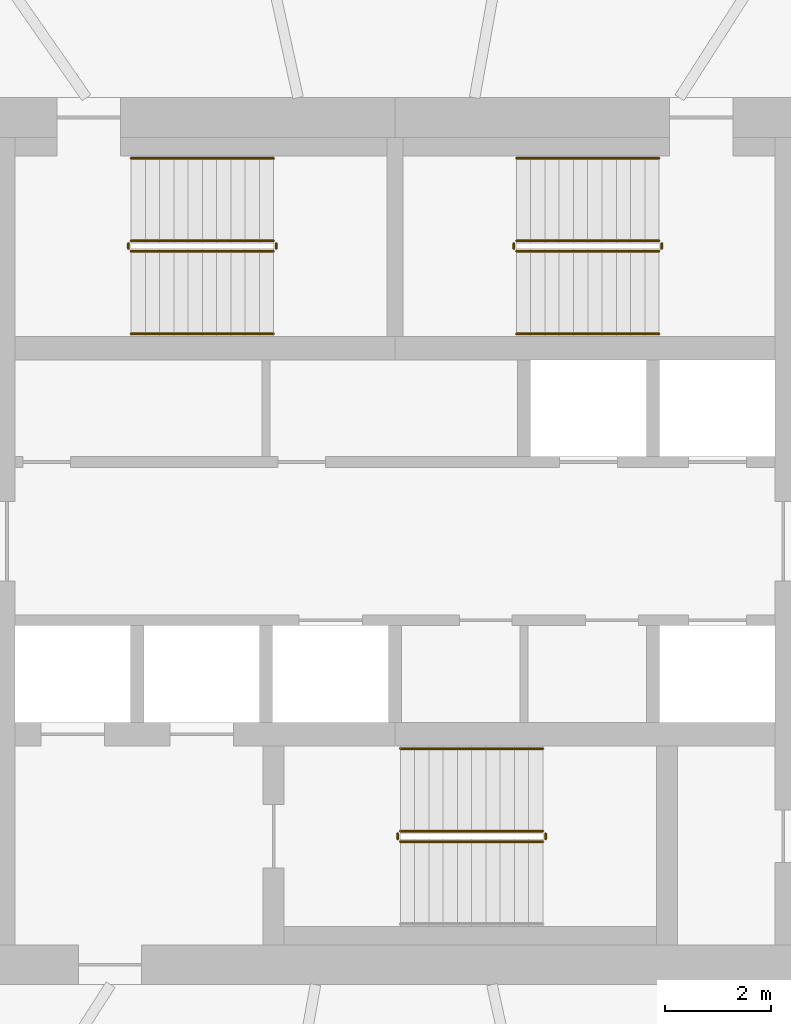
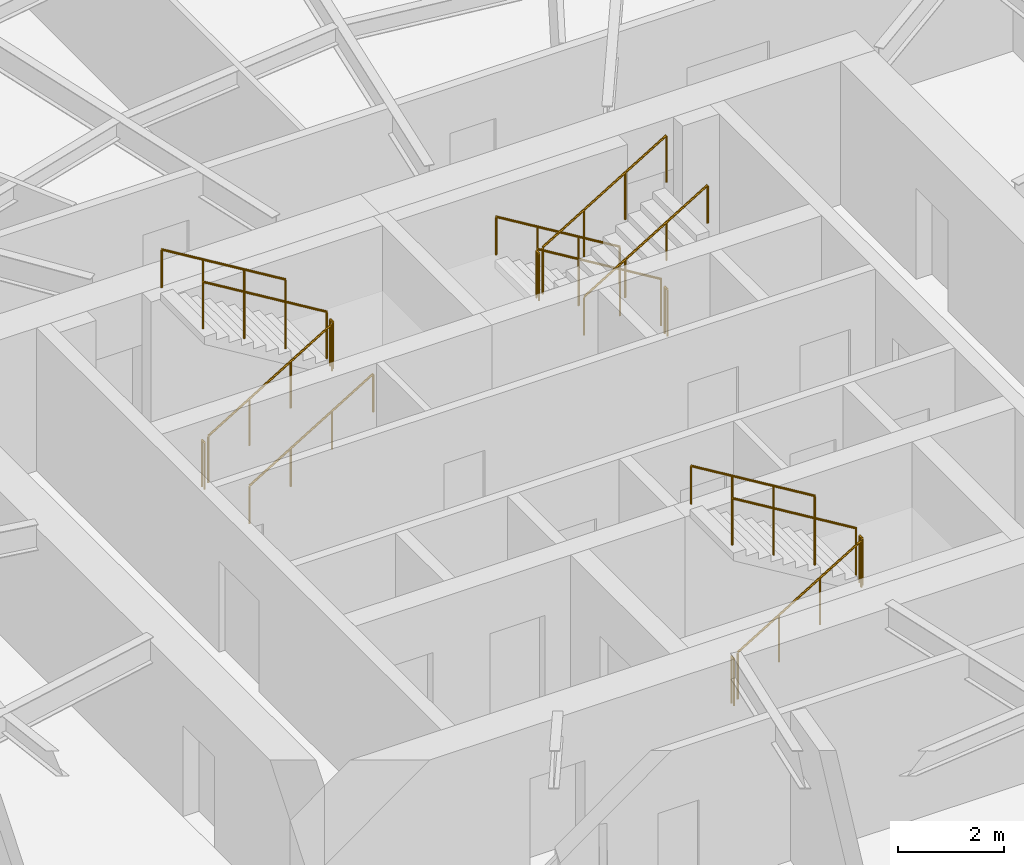
# One storey, part 13 of 14: 17 railings.
"""IFC4 building model written with IfcOpenShell, lengths in metres."""

import ifcopenshell
import ifcopenshell.guid

model = None  # the IFC model being written
_history = None  # IfcOwnerHistory: only IFC2X3 demands one
_inside = {}  # id of a spatial element -> (the spatial element, [elements in it])
_under = {}  # id of a project, library or spatial element -> (it, [spatial elements below it])
_declared = {}  # id of a project -> (the project, [libraries it declares])
_typed = {}  # id of a type object -> (the type object, [elements of that type])
_made_of = {}  # id of a material, layer set ... -> (it, [elements and type objects made of it])


def new_model(schema):
    """Start an empty IFC model of exactly this schema.

    Asked for "IFC4X3", IfcOpenShell would pick the latest addendum, in which some entities
    have other attributes; the version numbers below select the first issue.
    IFC2X3 requires an IfcOwnerHistory on every rooted entity: one is made here for all.
    """
    global model, _history
    if schema == "IFC4X3":
        model = ifcopenshell.file(schema_version=(4, 3, 0, 0))
    else:
        model = ifcopenshell.file(schema=schema)
    _inside.clear()
    _under.clear()
    _declared.clear()
    _typed.clear()
    _made_of.clear()
    _history = None
    if model.schema == "IFC2X3":
        org = make("IfcOrganization", Name="unknown")
        user = make(
            "IfcPersonAndOrganization",
            ThePerson=make("IfcPerson", FamilyName="unknown"),
            TheOrganization=org,
        )
        app = make(
            "IfcApplication",
            ApplicationDeveloper=org,
            Version="unknown",
            ApplicationFullName="unknown",
            ApplicationIdentifier="unknown",
        )
        _history = make(
            "IfcOwnerHistory",
            OwningUser=user,
            OwningApplication=app,
            ChangeAction="ADDED",
            CreationDate=0,
        )
    return model


def make(cls, **values):
    """One entity of the class cls with the attributes given. An attribute that is None is left unset."""
    return model.create_entity(
        cls, **{name: value for name, value in values.items() if value is not None}
    )


def rooted(cls, **values):
    """An entity with a GlobalId (a new one), such as an element, a storey or a relation."""
    return make(cls, GlobalId=ifcopenshell.guid.new(), OwnerHistory=_history, **values)


def si_unit(unit_type, name, prefix=None):
    """IfcSIUnit, for example si_unit("LENGTHUNIT", "METRE", prefix="MILLI")."""
    return make("IfcSIUnit", UnitType=unit_type, Prefix=prefix, Name=name)


def assignment(units):
    """IfcUnitAssignment: the units of a project."""
    return None if units is None else make("IfcUnitAssignment", Units=units)


def point(xyz):
    """IfcCartesianPoint."""
    return None if xyz is None else make("IfcCartesianPoint", Coordinates=xyz)


def direction(xyz):
    """IfcDirection."""
    return None if xyz is None else make("IfcDirection", DirectionRatios=xyz)


def frame(location, z_axis=None, x_axis=None):
    """IfcAxis2Placement3D, a coordinate frame: its origin and axes. An axis left out is left unset."""
    return make(
        "IfcAxis2Placement3D",
        Location=point(location),
        Axis=direction(z_axis),
        RefDirection=direction(x_axis),
    )


def frame_2d(location, x_axis=None):
    """IfcAxis2Placement2D, a coordinate frame in the plane: its origin and x axis."""
    return make(
        "IfcAxis2Placement2D", Location=point(location), RefDirection=direction(x_axis)
    )


def origin():
    """The frame at (0, 0, 0) with its axes left unset."""
    return frame((0.0, 0.0, 0.0))


def origin_2d():
    """The frame at (0, 0) in the plane with its x axis left unset."""
    return frame_2d((0.0, 0.0))


def place(relative_to, where):
    """IfcLocalPlacement: puts the frame where relative to a parent placement (None: the world)."""
    return make(
        "IfcLocalPlacement", PlacementRelTo=relative_to, RelativePlacement=where
    )


def context(
    kind, dimensions, precision=None, world=None, true_north=None, identifier=None
):
    """IfcGeometricRepresentationContext, for example the 3D "Model" context."""
    return make(
        "IfcGeometricRepresentationContext",
        ContextIdentifier=identifier,
        ContextType=kind,
        CoordinateSpaceDimension=dimensions,
        Precision=precision,
        WorldCoordinateSystem=world,
        TrueNorth=true_north,
    )


def subcontext(parent, identifier, kind, view, scale=None):
    """IfcGeometricRepresentationSubContext, for example "Body" below "Model"."""
    return make(
        "IfcGeometricRepresentationSubContext",
        ContextIdentifier=identifier,
        ContextType=kind,
        ParentContext=parent,
        TargetScale=scale,
        TargetView=view,
    )


def project(units=None, contexts=None):
    """IfcProject with its units and contexts."""
    return rooted(
        "IfcProject",
        Name="project",
        RepresentationContexts=contexts,
        UnitsInContext=assignment(units),
    )


def spatial(cls, under=None, at=None, **own):
    """A site, building, storey or space (cls), placed at a placement, below another one or the project."""
    s = rooted(cls, ObjectPlacement=at, **own)
    if under is not None:
        _under.setdefault(under.id(), (under, []))[1].append(s)
    return s


def profile(cls, at=None, kind="AREA", **sizes):
    """A parametric profile (cls). Its sizes go by their IFC names, for example OverallWidth=200.0."""
    return make(cls, ProfileType=kind, Position=at, **sizes)


def circle(**sizes):
    """IfcCircleProfileDef."""
    return profile("IfcCircleProfileDef", **sizes)


def extrude(swept, where, along, depth):
    """IfcExtrudedAreaSolid: the profile swept, set in the frame where, extruded along a direction by depth."""
    return make(
        "IfcExtrudedAreaSolid",
        SweptArea=swept,
        Position=where,
        ExtrudedDirection=direction(along),
        Depth=depth,
    )


def shape(context_of_items, identifier, shape_type, items):
    """IfcShapeRepresentation: the items that make up one representation, for example the "Body"."""
    return make(
        "IfcShapeRepresentation",
        ContextOfItems=context_of_items,
        RepresentationIdentifier=identifier,
        RepresentationType=shape_type,
        Items=items,
    )


def material(Name=None, Category=None):
    """IfcMaterial."""
    return make("IfcMaterial", Name=Name, Category=Category)


def made_of(thing, what):
    """Note that an element or type object is made of a material, layer set ...; save() writes the relation."""
    if what is not None:
        _made_of.setdefault(what.id(), (what, []))[1].append(thing)
    return thing


def type_object(cls, material=None, **own):
    """A type object (cls), such as IfcWallType, which elements share."""
    return made_of(rooted(cls, **own), material)


def element(
    cls,
    number,
    at=None,
    inside=None,
    cuts=None,
    type_object=None,
    material=None,
    context=None,
    identifier="Body",
    shape_type=None,
    held_by="IfcProductDefinitionShape",
    body=None,
    shapes=None,
    **own,
):
    """One element of the class cls, such as IfcWall. Its Tag is "e" and its number.

    at: its placement. inside: the storey or other place that contains it. cuts: it is an
    opening in that element (IfcRelVoidsElement). A single representation is given by context,
    identifier, shape_type and body (its items); several are given by shapes. held_by: the class
    of the entity that holds the representations. save() writes the other relations.
    """
    e = rooted(cls, Tag="e%d" % number, ObjectPlacement=at, **own)
    if body is not None:
        shapes = [shape(context, identifier, shape_type, body)]
    if shapes is not None:
        e.Representation = make(held_by, Representations=shapes)
    if inside is not None:
        _inside.setdefault(inside.id(), (inside, []))[1].append(e)
    if cuts is not None:
        rooted(
            "IfcRelVoidsElement", RelatingBuildingElement=cuts, RelatedOpeningElement=e
        )
    if type_object is not None:
        _typed.setdefault(type_object.id(), (type_object, []))[1].append(e)
    return made_of(e, material)


def aggregate(whole, parts):
    """IfcRelAggregates: a whole, such as a stair, and the parts it consists of."""
    return rooted("IfcRelAggregates", RelatingObject=whole, RelatedObjects=parts)


def save(model, path):
    """Write the relations noted so far, then the file.

    IfcRelAggregates (storeys below a building ...), IfcRelContainedInSpatialStructure (elements
    in a storey), IfcRelDefinesByType, IfcRelAssociatesMaterial and IfcRelDeclares: one each for
    every whole, place, type object, material and project.
    """
    for whole, parts in _under.values():
        aggregate(whole, parts)
    for where, things in _inside.values():
        rooted(
            "IfcRelContainedInSpatialStructure",
            RelatedElements=things,
            RelatingStructure=where,
        )
    for kind, things in _typed.values():
        rooted("IfcRelDefinesByType", RelatedObjects=things, RelatingType=kind)
    for what, things in _made_of.values():
        rooted("IfcRelAssociatesMaterial", RelatedObjects=things, RelatingMaterial=what)
    for by, libraries in _declared.values():
        rooted("IfcRelDeclares", RelatingContext=by, RelatedDefinitions=libraries)
    model.write(path)


model = new_model("IFC4")

# Units and contexts
model_context = context("Model", 3, precision=1e-05, world=origin(), true_north=direction((0.0, 1.0)))
body_context = subcontext(model_context, "Body", "Model", "MODEL_VIEW")
ifc_project = project(units=[si_unit("LENGTHUNIT", "METRE"), si_unit("AREAUNIT", "SQUARE_METRE"), si_unit("VOLUMEUNIT", "CUBIC_METRE"), si_unit("PLANEANGLEUNIT", "RADIAN"), si_unit("MASSUNIT", "GRAM", prefix="KILO")], contexts=[model_context])

# Site, building, storey
site_placement = place(None, origin())
site = spatial("IfcSite", under=ifc_project, at=site_placement, CompositionType="ELEMENT")
building_placement = place(site_placement, origin())
building = spatial("IfcBuilding", under=site, at=building_placement, Name="Vermilion Reach Broadcast Tower", CompositionType="ELEMENT")
storey_placement = place(building_placement, frame((0.0, 0.0, 206.5)))
storey = spatial("IfcBuildingStorey", under=building, at=storey_placement, Name="L50", CompositionType="ELEMENT", Elevation=206.5)

# Railings
ifc_material_1 = material(Name="Stainless steel", Category="steel")
railing_type_1 = type_object("IfcRailingType", Name="Stair guard 1100", PredefinedType="GUARDRAIL", material=ifc_material_1)
railing_1_placement = place(storey_placement, frame((-11.0, 5.489990234375, 0.16357421875)))
element("IfcRailing", 1, at=railing_1_placement, inside=storey, type_object=railing_type_1, Name="L50 ST1 stair guard 1", PredefinedType="GUARDRAIL", context=body_context, shape_type="SweptSolid", body=[
    extrude(circle(Radius=0.02392578125, at=origin_2d()), frame((0.0, 0.0, 1.076171875), z_axis=(0.855178096276, 0.0, 0.518334277904), x_axis=(0.0, 1.0, 0.0)), (0.0, 0.0, 1.0), 3.1572265625),
    extrude(circle(Radius=0.02099609375, at=origin_2d()), origin(), (0.0, 0.0, 1.0), 1.052001953125),
    extrude(circle(Radius=0.02099609375, at=origin_2d()), frame((0.89990234375, 0.0, 0.54541015625)), (0.0, 0.0, 1.0), 1.052001953125),
    extrude(circle(Radius=0.02099609375, at=origin_2d()), frame((1.800048828125, 0.0, 1.091064453125)), (0.0, 0.0, 1.0), 1.052001953125),
    extrude(circle(Radius=0.02099609375, at=origin_2d()), frame((2.699951171875, 0.0, 1.636474609375)), (0.0, 0.0, 1.0), 1.052001953125),
])
railing_2_placement = place(storey_placement, frame((-8.25, 5.5400390625, 1.800048828125)))
element("IfcRailing", 2, at=railing_2_placement, inside=storey, type_object=railing_type_1, Name="L50 ST1 stair guard 2", PredefinedType="GUARDRAIL", context=body_context, shape_type="SweptSolid", body=[
    extrude(circle(Radius=0.02392578125, at=origin_2d()), frame((0.0, 0.0, 1.076171875), z_axis=(0.0, 1.0, 0.0), x_axis=(-1.0, 0.0, 0.0)), (0.0, 0.0, 1.0), 0.099853515625),
    extrude(circle(Radius=0.02099609375, at=origin_2d()), origin(), (0.0, 0.0, 1.0), 1.052001953125),
    extrude(circle(Radius=0.02099609375, at=origin_2d()), frame((0.0, 0.099853515625, 0.0)), (0.0, 0.0, 1.0), 1.052001953125),
])
railing_3_placement = place(storey_placement, frame((-8.300048828125, 5.68994140625, 1.963623046875)))
element("IfcRailing", 3, at=railing_3_placement, inside=storey, type_object=railing_type_1, Name="L50 ST1 stair guard 3", PredefinedType="GUARDRAIL", context=body_context, shape_type="SweptSolid", body=[
    extrude(circle(Radius=0.02392578125, at=origin_2d()), frame((0.0, 0.0, 1.076171875), z_axis=(-0.855178096276, 0.0, 0.518334277904), x_axis=(0.0, -1.0, 0.0)), (0.0, 0.0, 1.0), 3.1572265625),
    extrude(circle(Radius=0.02099609375, at=origin_2d()), origin(), (0.0, 0.0, 1.0), 1.052001953125),
    extrude(circle(Radius=0.02099609375, at=origin_2d()), frame((-0.89990234375, 0.0, 0.54541015625)), (0.0, 0.0, 1.0), 1.052001953125),
    extrude(circle(Radius=0.02099609375, at=origin_2d()), frame((-1.800048828125, 0.0, 1.091064453125)), (0.0, 0.0, 1.0), 1.052001953125),
    extrude(circle(Radius=0.02099609375, at=origin_2d()), frame((-2.699951171875, 0.0, 1.636474609375)), (0.0, 0.0, 1.0), 1.052001953125),
])
railing_4_placement = place(storey_placement, frame((-11.050048828125, 5.5400390625, 0.0)))
element("IfcRailing", 4, at=railing_4_placement, inside=storey, type_object=railing_type_1, Name="L50 ST1 stair guard 4", PredefinedType="GUARDRAIL", context=body_context, shape_type="SweptSolid", body=[
    extrude(circle(Radius=0.02392578125, at=origin_2d()), frame((0.0, 0.0, 1.076171875), z_axis=(0.0, 1.0, 0.0), x_axis=(-1.0, 0.0, 0.0)), (0.0, 0.0, 1.0), 0.099853515625),
    extrude(circle(Radius=0.02099609375, at=origin_2d()), origin(), (0.0, 0.0, 1.0), 1.052001953125),
    extrude(circle(Radius=0.02099609375, at=origin_2d()), frame((0.0, 0.099853515625, 0.0)), (0.0, 0.0, 1.0), 1.052001953125),
])
railing_5_placement = place(storey_placement, frame((-1.0, 5.68994140625, 0.16357421875)))
element("IfcRailing", 5, at=railing_5_placement, inside=storey, type_object=railing_type_1, Name="L50 ST2 stair guard 1", PredefinedType="GUARDRAIL", context=body_context, shape_type="SweptSolid", body=[
    extrude(circle(Radius=0.02392578125, at=origin_2d()), frame((0.0, 0.0, 1.076171875), z_axis=(-0.855178096276, 0.0, 0.518334277904), x_axis=(0.0, -1.0, 0.0)), (0.0, 0.0, 1.0), 3.1572265625),
    extrude(circle(Radius=0.02099609375, at=origin_2d()), origin(), (0.0, 0.0, 1.0), 1.052001953125),
    extrude(circle(Radius=0.02099609375, at=origin_2d()), frame((-0.89990234375, 0.0, 0.54541015625)), (0.0, 0.0, 1.0), 1.052001953125),
    extrude(circle(Radius=0.02099609375, at=origin_2d()), frame((-1.800048828125, 0.0, 1.091064453125)), (0.0, 0.0, 1.0), 1.052001953125),
    extrude(circle(Radius=0.02099609375, at=origin_2d()), frame((-2.699951171875, 0.0, 1.636474609375)), (0.0, 0.0, 1.0), 1.052001953125),
])
railing_6_placement = place(storey_placement, frame((-3.75, 5.639892578125, 1.800048828125)))
element("IfcRailing", 6, at=railing_6_placement, inside=storey, type_object=railing_type_1, Name="L50 ST2 stair guard 2", PredefinedType="GUARDRAIL", context=body_context, shape_type="SweptSolid", body=[
    extrude(circle(Radius=0.02392578125, at=origin_2d()), frame((0.0, 0.0, 1.076171875), z_axis=(0.0, -1.0, 0.0), x_axis=(1.0, 0.0, 0.0)), (0.0, 0.0, 1.0), 0.099853515625),
    extrude(circle(Radius=0.02099609375, at=origin_2d()), origin(), (0.0, 0.0, 1.0), 1.052001953125),
    extrude(circle(Radius=0.02099609375, at=origin_2d()), frame((0.0, -0.099853515625, 0.0)), (0.0, 0.0, 1.0), 1.052001953125),
])
railing_7_placement = place(storey_placement, frame((-3.699951171875, 5.489990234375, 1.963623046875)))
element("IfcRailing", 7, at=railing_7_placement, inside=storey, type_object=railing_type_1, Name="L50 ST2 stair guard 3", PredefinedType="GUARDRAIL", context=body_context, shape_type="SweptSolid", body=[
    extrude(circle(Radius=0.02392578125, at=origin_2d()), frame((0.0, 0.0, 1.076171875), z_axis=(0.855178096276, 0.0, 0.518334277904), x_axis=(0.0, 1.0, 0.0)), (0.0, 0.0, 1.0), 3.1572265625),
    extrude(circle(Radius=0.02099609375, at=origin_2d()), origin(), (0.0, 0.0, 1.0), 1.052001953125),
    extrude(circle(Radius=0.02099609375, at=origin_2d()), frame((0.89990234375, 0.0, 0.54541015625)), (0.0, 0.0, 1.0), 1.052001953125),
    extrude(circle(Radius=0.02099609375, at=origin_2d()), frame((1.800048828125, 0.0, 1.091064453125)), (0.0, 0.0, 1.0), 1.052001953125),
    extrude(circle(Radius=0.02099609375, at=origin_2d()), frame((2.699951171875, 0.0, 1.636474609375)), (0.0, 0.0, 1.0), 1.052001953125),
])
railing_8_placement = place(storey_placement, frame((-0.949951171875, 5.639892578125, 0.0)))
element("IfcRailing", 8, at=railing_8_placement, inside=storey, type_object=railing_type_1, Name="L50 ST2 stair guard 4", PredefinedType="GUARDRAIL", context=body_context, shape_type="SweptSolid", body=[
    extrude(circle(Radius=0.02392578125, at=origin_2d()), frame((0.0, 0.0, 1.076171875), z_axis=(0.0, -1.0, 0.0), x_axis=(1.0, 0.0, 0.0)), (0.0, 0.0, 1.0), 0.099853515625),
    extrude(circle(Radius=0.02099609375, at=origin_2d()), origin(), (0.0, 0.0, 1.0), 1.052001953125),
    extrude(circle(Radius=0.02099609375, at=origin_2d()), frame((0.0, -0.099853515625, 0.0)), (0.0, 0.0, 1.0), 1.052001953125),
])
railing_9_placement = place(storey_placement, frame((-5.89990234375, -5.68994140625, 0.16357421875)))
element("IfcRailing", 9, at=railing_9_placement, inside=storey, type_object=railing_type_1, Name="L50 ST3 stair guard 1", PredefinedType="GUARDRAIL", context=body_context, shape_type="SweptSolid", body=[
    extrude(circle(Radius=0.02392578125, at=origin_2d()), frame((0.0, 0.0, 1.076171875), z_axis=(0.855178096276, 0.0, 0.518334277904), x_axis=(0.0, 1.0, 0.0)), (0.0, 0.0, 1.0), 3.1572265625),
    extrude(circle(Radius=0.02099609375, at=origin_2d()), origin(), (0.0, 0.0, 1.0), 1.052001953125),
    extrude(circle(Radius=0.02099609375, at=origin_2d()), frame((0.89990234375, 0.0, 0.54541015625)), (0.0, 0.0, 1.0), 1.052001953125),
    extrude(circle(Radius=0.02099609375, at=origin_2d()), frame((1.800048828125, 0.0, 1.091064453125)), (0.0, 0.0, 1.0), 1.052001953125),
    extrude(circle(Radius=0.02099609375, at=origin_2d()), frame((2.699951171875, 0.0, 1.636474609375)), (0.0, 0.0, 1.0), 1.052001953125),
])
railing_10_placement = place(storey_placement, frame((-3.14990234375, -5.639892578125, 1.800048828125)))
element("IfcRailing", 10, at=railing_10_placement, inside=storey, type_object=railing_type_1, Name="L50 ST3 stair guard 2", PredefinedType="GUARDRAIL", context=body_context, shape_type="SweptSolid", body=[
    extrude(circle(Radius=0.02392578125, at=origin_2d()), frame((0.0, 0.0, 1.076171875), z_axis=(0.0, 1.0, 0.0), x_axis=(-1.0, 0.0, 0.0)), (0.0, 0.0, 1.0), 0.099853515625),
    extrude(circle(Radius=0.02099609375, at=origin_2d()), origin(), (0.0, 0.0, 1.0), 1.052001953125),
    extrude(circle(Radius=0.02099609375, at=origin_2d()), frame((0.0, 0.099853515625, 0.0)), (0.0, 0.0, 1.0), 1.052001953125),
])
railing_11_placement = place(storey_placement, frame((-3.199951171875, -5.489990234375, 1.963623046875)))
element("IfcRailing", 11, at=railing_11_placement, inside=storey, type_object=railing_type_1, Name="L50 ST3 stair guard 3", PredefinedType="GUARDRAIL", context=body_context, shape_type="SweptSolid", body=[
    extrude(circle(Radius=0.02392578125, at=origin_2d()), frame((0.0, 0.0, 1.076171875), z_axis=(-0.855178096276, 0.0, 0.518334277904), x_axis=(0.0, -1.0, 0.0)), (0.0, 0.0, 1.0), 3.1572265625),
    extrude(circle(Radius=0.02099609375, at=origin_2d()), origin(), (0.0, 0.0, 1.0), 1.052001953125),
    extrude(circle(Radius=0.02099609375, at=origin_2d()), frame((-0.89990234375, 0.0, 0.54541015625)), (0.0, 0.0, 1.0), 1.052001953125),
    extrude(circle(Radius=0.02099609375, at=origin_2d()), frame((-1.800048828125, 0.0, 1.091064453125)), (0.0, 0.0, 1.0), 1.052001953125),
    extrude(circle(Radius=0.02099609375, at=origin_2d()), frame((-2.699951171875, 0.0, 1.636474609375)), (0.0, 0.0, 1.0), 1.052001953125),
])
railing_12_placement = place(storey_placement, frame((-5.949951171875, -5.639892578125, 0.0)))
element("IfcRailing", 12, at=railing_12_placement, inside=storey, type_object=railing_type_1, Name="L50 ST3 stair guard 4", PredefinedType="GUARDRAIL", context=body_context, shape_type="SweptSolid", body=[
    extrude(circle(Radius=0.02392578125, at=origin_2d()), frame((0.0, 0.0, 1.076171875), z_axis=(0.0, 1.0, 0.0), x_axis=(-1.0, 0.0, 0.0)), (0.0, 0.0, 1.0), 0.099853515625),
    extrude(circle(Radius=0.02099609375, at=origin_2d()), origin(), (0.0, 0.0, 1.0), 1.052001953125),
    extrude(circle(Radius=0.02099609375, at=origin_2d()), frame((0.0, 0.099853515625, 0.0)), (0.0, 0.0, 1.0), 1.052001953125),
])
ifc_material_2 = material(Name="Stainless steel", Category="steel")
railing_type_2 = type_object("IfcRailingType", Name="Stair handrail", PredefinedType="HANDRAIL", material=ifc_material_2)
railing_13_placement = place(storey_placement, frame((-11.0, 3.929931640625, 0.16357421875)))
element("IfcRailing", 13, at=railing_13_placement, inside=storey, type_object=railing_type_2, Name="L50 ST1 stair handrail 1", PredefinedType="HANDRAIL", context=body_context, shape_type="SweptSolid", body=[
    extrude(circle(Radius=0.02392578125, at=origin_2d()), frame((0.0, 0.0, 0.8759765625), z_axis=(0.855178096276, 0.0, 0.518334277904), x_axis=(0.0, 1.0, 0.0)), (0.0, 0.0, 1.0), 3.1572265625),
    extrude(circle(Radius=0.02099609375, at=origin_2d()), origin(), (0.0, 0.0, 1.0), 0.851806640625),
    extrude(circle(Radius=0.02099609375, at=origin_2d()), frame((0.89990234375, 0.0, 0.54541015625)), (0.0, 0.0, 1.0), 0.851806640625),
    extrude(circle(Radius=0.02099609375, at=origin_2d()), frame((1.800048828125, 0.0, 1.091064453125)), (0.0, 0.0, 1.0), 0.851806640625),
    extrude(circle(Radius=0.02099609375, at=origin_2d()), frame((2.699951171875, 0.0, 1.636474609375)), (0.0, 0.0, 1.0), 0.851806640625),
])
for number, where, name in (
    (14, (-8.300048828125, 7.25, 1.963623046875), "L50 ST1 stair handrail 2"),
    (15, (-1.0, 7.25, 0.16357421875), "L50 ST2 stair handrail 1"),
):
    element("IfcRailing", number, at=place(storey_placement, frame(where)), inside=storey, type_object=railing_type_2, Name=name, PredefinedType="HANDRAIL", context=body_context, shape_type="SweptSolid", body=[
        extrude(circle(Radius=0.02392578125, at=origin_2d()), frame((0.0, 0.0, 0.8759765625), z_axis=(-0.855178096276, 0.0, 0.518334277904), x_axis=(0.0, -1.0, 0.0)), (0.0, 0.0, 1.0), 3.1572265625),
        extrude(circle(Radius=0.02099609375, at=origin_2d()), origin(), (0.0, 0.0, 1.0), 0.851806640625),
        extrude(circle(Radius=0.02099609375, at=origin_2d()), frame((-0.89990234375, 0.0, 0.54541015625)), (0.0, 0.0, 1.0), 0.851806640625),
        extrude(circle(Radius=0.02099609375, at=origin_2d()), frame((-1.800048828125, 0.0, 1.091064453125)), (0.0, 0.0, 1.0), 0.851806640625),
        extrude(circle(Radius=0.02099609375, at=origin_2d()), frame((-2.699951171875, 0.0, 1.636474609375)), (0.0, 0.0, 1.0), 0.851806640625),
    ])
railing_14_placement = place(storey_placement, frame((-3.699951171875, 3.929931640625, 1.963623046875)))
element("IfcRailing", 16, at=railing_14_placement, inside=storey, type_object=railing_type_2, Name="L50 ST2 stair handrail 2", PredefinedType="HANDRAIL", context=body_context, shape_type="SweptSolid", body=[
    extrude(circle(Radius=0.02392578125, at=origin_2d()), frame((0.0, 0.0, 0.8759765625), z_axis=(0.855178096276, 0.0, 0.518334277904), x_axis=(0.0, 1.0, 0.0)), (0.0, 0.0, 1.0), 3.1572265625),
    extrude(circle(Radius=0.02099609375, at=origin_2d()), origin(), (0.0, 0.0, 1.0), 0.851806640625),
    extrude(circle(Radius=0.02099609375, at=origin_2d()), frame((0.89990234375, 0.0, 0.54541015625)), (0.0, 0.0, 1.0), 0.851806640625),
    extrude(circle(Radius=0.02099609375, at=origin_2d()), frame((1.800048828125, 0.0, 1.091064453125)), (0.0, 0.0, 1.0), 0.851806640625),
    extrude(circle(Radius=0.02099609375, at=origin_2d()), frame((2.699951171875, 0.0, 1.636474609375)), (0.0, 0.0, 1.0), 0.851806640625),
])
railing_15_placement = place(storey_placement, frame((-3.199951171875, -3.929931640625, 1.963623046875)))
element("IfcRailing", 17, at=railing_15_placement, inside=storey, type_object=railing_type_2, Name="L50 ST3 stair handrail 2", PredefinedType="HANDRAIL", context=body_context, shape_type="SweptSolid", body=[
    extrude(circle(Radius=0.02392578125, at=origin_2d()), frame((0.0, 0.0, 0.8759765625), z_axis=(-0.855178096276, 0.0, 0.518334277904), x_axis=(0.0, -1.0, 0.0)), (0.0, 0.0, 1.0), 3.1572265625),
    extrude(circle(Radius=0.02099609375, at=origin_2d()), origin(), (0.0, 0.0, 1.0), 0.851806640625),
    extrude(circle(Radius=0.02099609375, at=origin_2d()), frame((-0.89990234375, 0.0, 0.54541015625)), (0.0, 0.0, 1.0), 0.851806640625),
    extrude(circle(Radius=0.02099609375, at=origin_2d()), frame((-1.800048828125, 0.0, 1.091064453125)), (0.0, 0.0, 1.0), 0.851806640625),
    extrude(circle(Radius=0.02099609375, at=origin_2d()), frame((-2.699951171875, 0.0, 1.636474609375)), (0.0, 0.0, 1.0), 0.851806640625),
])

save(model, "model.ifc")
